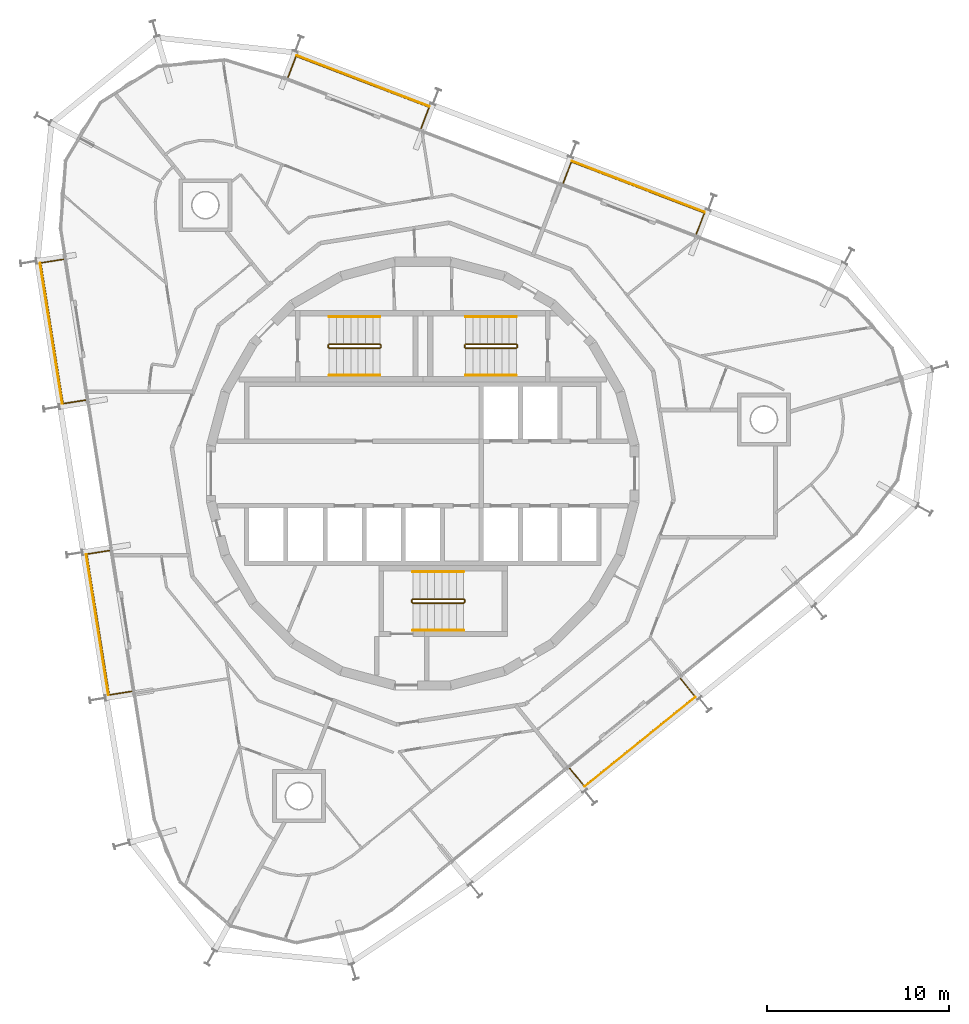
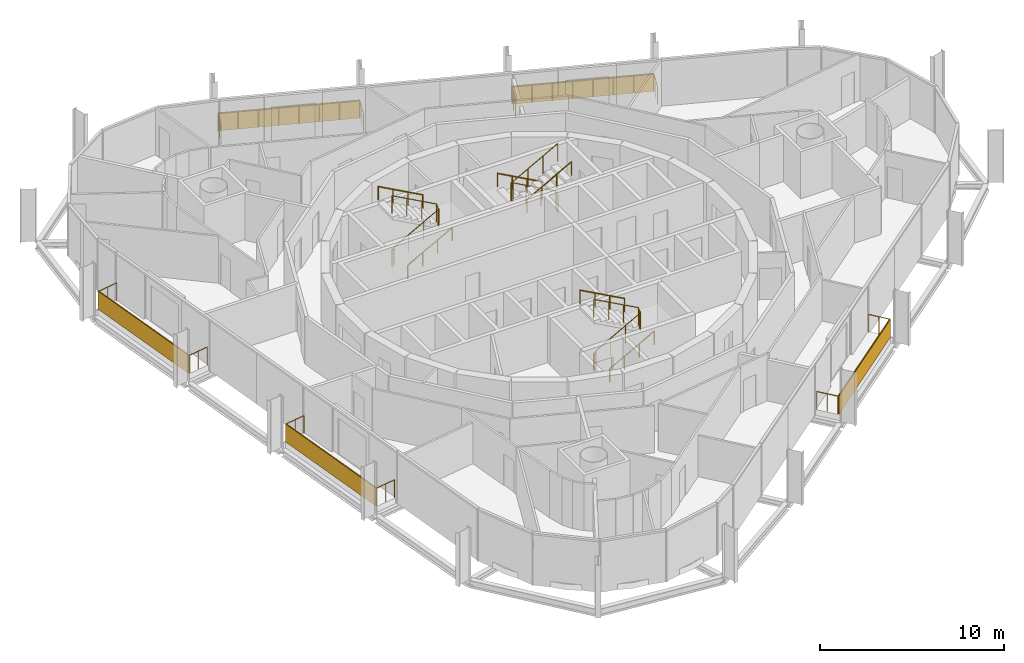
# One storey, part 17 of 17: 14 railings, 5 shading devices.
"""IFC4 building model written with IfcOpenShell, lengths in metres."""

from ifc_helpers import new_model, si_unit, direction, frame, origin, origin_2d, place, context, subcontext, project, spatial, rectangle, circle, extrude, material, layer, layer_set, type_object, element, save


model = new_model("IFC4")

# Units and contexts
model_context = context("Model", 3, precision=1e-05, world=origin(), true_north=direction((0.0, 1.0)))
body_context = subcontext(model_context, "Body", "Model", "MODEL_VIEW")
ifc_project = project(units=[si_unit("LENGTHUNIT", "METRE"), si_unit("AREAUNIT", "SQUARE_METRE"), si_unit("VOLUMEUNIT", "CUBIC_METRE"), si_unit("PLANEANGLEUNIT", "RADIAN"), si_unit("MASSUNIT", "GRAM", prefix="KILO")], contexts=[model_context])

# Site, building, storey
site_placement = place(None, origin())
site = spatial("IfcSite", under=ifc_project, at=site_placement, CompositionType="ELEMENT")
building_placement = place(site_placement, origin())
building = spatial("IfcBuilding", under=site, at=building_placement, Name="Spindle Arch Residences", CompositionType="ELEMENT")
storey_placement = place(building_placement, frame((0.0, 0.0, 266.89990234375)))
storey = spatial("IfcBuildingStorey", under=building, at=storey_placement, Name="L68", CompositionType="ELEMENT", Elevation=266.89990234375)

# Railings
ifc_material_1 = material(Name="Bronze anodised aluminium guard with glass infill", Category="aluminium")
railing_type_1 = type_object("IfcRailingType", Name="Balcony guard 1200", PredefinedType="GUARDRAIL", material=ifc_material_1)
railing_1_placement = place(storey_placement, frame((15.04296875, 13.17041015625, 0.0)))
element("IfcRailing", 1, at=railing_1_placement, inside=storey, type_object=railing_type_1, Name="Guard L68 bay 6", PredefinedType="GUARDRAIL", context=body_context, shape_type="SweptSolid", body=[
    extrude(circle(Radius=0.02392578125, at=origin_2d()), frame((0.0, 0.0, 1.17578125), z_axis=(0.358219824021, 0.933637273077, 0.0), x_axis=(-0.933637273077, 0.358219824021, 0.0)), (0.0, 0.0, 1.0), 1.25),
    extrude(circle(Radius=0.02392578125, at=origin_2d()), frame((0.44775390625, 1.1669921875, 1.17578125), z_axis=(-0.933574226738, 0.358384100054, 0.0), x_axis=(-0.358384100054, -0.933574226738, 0.0)), (0.0, 0.0, 1.0), 7.83740234375),
    extrude(circle(Radius=0.02392578125, at=origin_2d()), frame((-6.869140625, 3.975830078125, 1.17578125), z_axis=(-0.358390063807, -0.933571937327, 0.0), x_axis=(0.933571937327, -0.358390063807, 0.0)), (0.0, 0.0, 1.0), 1.25),
    extrude(circle(Radius=0.02099609375, at=origin_2d()), origin(), (0.0, 0.0, 1.0), 1.15185546875),
    extrude(circle(Radius=0.02099609375, at=origin_2d()), frame((0.223876953125, 0.58349609375, 0.0)), (0.0, 0.0, 1.0), 1.15185546875),
    extrude(circle(Radius=0.02099609375, at=origin_2d()), frame((0.44775390625, 1.1669921875, 0.0)), (0.0, 0.0, 1.0), 1.15185546875),
    extrude(circle(Radius=0.02099609375, at=origin_2d()), frame((-0.597412109375, 1.568359375, 0.0)), (0.0, 0.0, 1.0), 1.15185546875),
    extrude(circle(Radius=0.02099609375, at=origin_2d()), frame((-1.642822265625, 1.969482421875, 0.0)), (0.0, 0.0, 1.0), 1.15185546875),
    extrude(circle(Radius=0.02099609375, at=origin_2d()), frame((-2.68798828125, 2.370849609375, 0.0)), (0.0, 0.0, 1.0), 1.15185546875),
    extrude(circle(Radius=0.02099609375, at=origin_2d()), frame((-3.7333984375, 2.77197265625, 0.0)), (0.0, 0.0, 1.0), 1.15185546875),
    extrude(circle(Radius=0.02099609375, at=origin_2d()), frame((-4.778564453125, 3.17333984375, 0.0)), (0.0, 0.0, 1.0), 1.15185546875),
    extrude(circle(Radius=0.02099609375, at=origin_2d()), frame((-5.823974609375, 3.574462890625, 0.0)), (0.0, 0.0, 1.0), 1.15185546875),
    extrude(circle(Radius=0.02099609375, at=origin_2d()), frame((-6.869140625, 3.975830078125, 0.0)), (0.0, 0.0, 1.0), 1.15185546875),
    extrude(circle(Radius=0.02099609375, at=origin_2d()), frame((-7.09326171875, 3.392333984375, 0.0)), (0.0, 0.0, 1.0), 1.15185546875),
    extrude(circle(Radius=0.02099609375, at=origin_2d()), frame((-7.317138671875, 2.808837890625, 0.0)), (0.0, 0.0, 1.0), 1.15185546875),
])
railing_2_placement = place(storey_placement, frame((-0.09521484375, 18.9814453125, 0.0)))
element("IfcRailing", 2, at=railing_2_placement, inside=storey, type_object=railing_type_1, Name="Guard L68 bay 8", PredefinedType="GUARDRAIL", context=body_context, shape_type="SweptSolid", body=[
    extrude(circle(Radius=0.02392578125, at=origin_2d()), frame((0.0, 0.0, 1.17578125), z_axis=(0.358390063807, 0.933571937327, 0.0), x_axis=(-0.933571937327, 0.358390063807, 0.0)), (0.0, 0.0, 1.0), 1.25),
    extrude(circle(Radius=0.02392578125, at=origin_2d()), frame((0.447998046875, 1.1669921875, 1.17578125), z_axis=(-0.93357822748, 0.358373678128, 0.0), x_axis=(-0.358373678128, -0.93357822748, 0.0)), (0.0, 0.0, 1.0), 7.837646484375),
    extrude(circle(Radius=0.02392578125, at=origin_2d()), frame((-6.869140625, 3.975830078125, 1.17578125), z_axis=(-0.358390063807, -0.933571937327, 0.0), x_axis=(0.933571937327, -0.358390063807, 0.0)), (0.0, 0.0, 1.0), 1.25),
    extrude(circle(Radius=0.02099609375, at=origin_2d()), origin(), (0.0, 0.0, 1.0), 1.15185546875),
    extrude(circle(Radius=0.02099609375, at=origin_2d()), frame((0.22412109375, 0.58349609375, 0.0)), (0.0, 0.0, 1.0), 1.15185546875),
    extrude(circle(Radius=0.02099609375, at=origin_2d()), frame((0.447998046875, 1.1669921875, 0.0)), (0.0, 0.0, 1.0), 1.15185546875),
    extrude(circle(Radius=0.02099609375, at=origin_2d()), frame((-0.597412109375, 1.568359375, 0.0)), (0.0, 0.0, 1.0), 1.15185546875),
    extrude(circle(Radius=0.02099609375, at=origin_2d()), frame((-1.642578125, 1.969482421875, 0.0)), (0.0, 0.0, 1.0), 1.15185546875),
    extrude(circle(Radius=0.02099609375, at=origin_2d()), frame((-2.68798828125, 2.370849609375, 0.0)), (0.0, 0.0, 1.0), 1.15185546875),
    extrude(circle(Radius=0.02099609375, at=origin_2d()), frame((-3.733154296875, 2.77197265625, 0.0)), (0.0, 0.0, 1.0), 1.15185546875),
    extrude(circle(Radius=0.02099609375, at=origin_2d()), frame((-4.778564453125, 3.17333984375, 0.0)), (0.0, 0.0, 1.0), 1.15185546875),
    extrude(circle(Radius=0.02099609375, at=origin_2d()), frame((-5.82373046875, 3.574462890625, 0.0)), (0.0, 0.0, 1.0), 1.15185546875),
    extrude(circle(Radius=0.02099609375, at=origin_2d()), frame((-6.869140625, 3.975830078125, 0.0)), (0.0, 0.0, 1.0), 1.15185546875),
    extrude(circle(Radius=0.02099609375, at=origin_2d()), frame((-7.09326171875, 3.392333984375, 0.0)), (0.0, 0.0, 1.0), 1.15185546875),
    extrude(circle(Radius=0.02099609375, at=origin_2d()), frame((-7.317138671875, 2.808837890625, 0.0)), (0.0, 0.0, 1.0), 1.15185546875),
])
railing_3_placement = place(storey_placement, frame((-19.77294921875, 11.78076171875, 0.0)))
element("IfcRailing", 3, at=railing_3_placement, inside=storey, type_object=railing_type_1, Name="Guard L68 bay 12", PredefinedType="GUARDRAIL", context=body_context, shape_type="SweptSolid", body=[
    extrude(circle(Radius=0.02392578125, at=origin_2d()), frame((0.0, 0.0, 1.17578125), z_axis=(-0.987686835152, -0.156443969736, 0.0), x_axis=(0.156443969736, -0.987686835152, 0.0)), (0.0, 0.0, 1.0), 1.25),
    extrude(circle(Radius=0.02392578125, at=origin_2d()), frame((-1.234619140625, -0.195556640625, 1.17578125), z_axis=(0.156437642141, -0.987687837387, 0.0), x_axis=(0.987687837387, 0.156437642141, 0.0)), (0.0, 0.0, 1.0), 7.83740234375),
    extrude(circle(Radius=0.02392578125, at=origin_2d()), frame((-0.008544921875, -7.9365234375, 1.17578125), z_axis=(0.987686835152, 0.156443969736, 0.0), x_axis=(-0.156443969736, 0.987686835152, 0.0)), (0.0, 0.0, 1.0), 1.25),
    extrude(circle(Radius=0.02099609375, at=origin_2d()), origin(), (0.0, 0.0, 1.0), 1.15185546875),
    extrude(circle(Radius=0.02099609375, at=origin_2d()), frame((-0.6171875, -0.09765625, 0.0)), (0.0, 0.0, 1.0), 1.15185546875),
    extrude(circle(Radius=0.02099609375, at=origin_2d()), frame((-1.234619140625, -0.195556640625, 0.0)), (0.0, 0.0, 1.0), 1.15185546875),
    extrude(circle(Radius=0.02099609375, at=origin_2d()), frame((-1.0595703125, -1.301513671875, 0.0)), (0.0, 0.0, 1.0), 1.15185546875),
    extrude(circle(Radius=0.02099609375, at=origin_2d()), frame((-0.88427734375, -2.4072265625, 0.0)), (0.0, 0.0, 1.0), 1.15185546875),
    extrude(circle(Radius=0.02099609375, at=origin_2d()), frame((-0.709228515625, -3.51318359375, 0.0)), (0.0, 0.0, 1.0), 1.15185546875),
    extrude(circle(Radius=0.02099609375, at=origin_2d()), frame((-0.533935546875, -4.618896484375, 0.0)), (0.0, 0.0, 1.0), 1.15185546875),
    extrude(circle(Radius=0.02099609375, at=origin_2d()), frame((-0.35888671875, -5.724853515625, 0.0)), (0.0, 0.0, 1.0), 1.15185546875),
    extrude(circle(Radius=0.02099609375, at=origin_2d()), frame((-0.18359375, -6.83056640625, 0.0)), (0.0, 0.0, 1.0), 1.15185546875),
    extrude(circle(Radius=0.02099609375, at=origin_2d()), frame((-0.008544921875, -7.9365234375, 0.0)), (0.0, 0.0, 1.0), 1.15185546875),
    extrude(circle(Radius=0.02099609375, at=origin_2d()), frame((0.60888671875, -7.8388671875, 0.0)), (0.0, 0.0, 1.0), 1.15185546875),
    extrude(circle(Radius=0.02099609375, at=origin_2d()), frame((1.22607421875, -7.740966796875, 0.0)), (0.0, 0.0, 1.0), 1.15185546875),
])
railing_4_placement = place(storey_placement, frame((-17.236328125, -4.23486328125, 0.0)))
element("IfcRailing", 4, at=railing_4_placement, inside=storey, type_object=railing_type_1, Name="Guard L68 bay 14", PredefinedType="GUARDRAIL", context=body_context, shape_type="SweptSolid", body=[
    extrude(circle(Radius=0.02392578125, at=origin_2d()), frame((0.0, 0.0, 1.17578125), z_axis=(-0.987686835152, -0.156443969736, 0.0), x_axis=(0.156443969736, -0.987686835152, 0.0)), (0.0, 0.0, 1.0), 1.25),
    extrude(circle(Radius=0.02392578125, at=origin_2d()), frame((-1.234619140625, -0.195556640625, 1.17578125), z_axis=(0.156437642141, -0.987687837387, 0.0), x_axis=(0.987687837387, 0.156437642141, 0.0)), (0.0, 0.0, 1.0), 7.83740234375),
    extrude(circle(Radius=0.02392578125, at=origin_2d()), frame((-0.008544921875, -7.9365234375, 1.17578125), z_axis=(0.987686835152, 0.156443969736, 0.0), x_axis=(-0.156443969736, 0.987686835152, 0.0)), (0.0, 0.0, 1.0), 1.25),
    extrude(circle(Radius=0.02099609375, at=origin_2d()), origin(), (0.0, 0.0, 1.0), 1.15185546875),
    extrude(circle(Radius=0.02099609375, at=origin_2d()), frame((-0.6171875, -0.09765625, 0.0)), (0.0, 0.0, 1.0), 1.15185546875),
    extrude(circle(Radius=0.02099609375, at=origin_2d()), frame((-1.234619140625, -0.195556640625, 0.0)), (0.0, 0.0, 1.0), 1.15185546875),
    extrude(circle(Radius=0.02099609375, at=origin_2d()), frame((-1.0595703125, -1.301513671875, 0.0)), (0.0, 0.0, 1.0), 1.15185546875),
    extrude(circle(Radius=0.02099609375, at=origin_2d()), frame((-0.88427734375, -2.4072265625, 0.0)), (0.0, 0.0, 1.0), 1.15185546875),
    extrude(circle(Radius=0.02099609375, at=origin_2d()), frame((-0.709228515625, -3.51318359375, 0.0)), (0.0, 0.0, 1.0), 1.15185546875),
    extrude(circle(Radius=0.02099609375, at=origin_2d()), frame((-0.533935546875, -4.618896484375, 0.0)), (0.0, 0.0, 1.0), 1.15185546875),
    extrude(circle(Radius=0.02099609375, at=origin_2d()), frame((-0.35888671875, -5.724853515625, 0.0)), (0.0, 0.0, 1.0), 1.15185546875),
    extrude(circle(Radius=0.02099609375, at=origin_2d()), frame((-0.18359375, -6.83056640625, 0.0)), (0.0, 0.0, 1.0), 1.15185546875),
    extrude(circle(Radius=0.02099609375, at=origin_2d()), frame((-0.008544921875, -7.9365234375, 0.0)), (0.0, 0.0, 1.0), 1.15185546875),
    extrude(circle(Radius=0.02099609375, at=origin_2d()), frame((0.60888671875, -7.8388671875, 0.0)), (0.0, 0.0, 1.0), 1.15185546875),
    extrude(circle(Radius=0.02099609375, at=origin_2d()), frame((1.22607421875, -7.740966796875, 0.0)), (0.0, 0.0, 1.0), 1.15185546875),
])
railing_5_placement = place(storey_placement, frame((8.0849609375, -16.211181640625, 0.0)))
element("IfcRailing", 5, at=railing_5_placement, inside=storey, type_object=railing_type_1, Name="Guard L68 bay 20", PredefinedType="GUARDRAIL", context=body_context, shape_type="SweptSolid", body=[
    extrude(circle(Radius=0.02392578125, at=origin_2d()), frame((0.0, 0.0, 1.17578125), z_axis=(0.629422920791, -0.77706292331, 0.0), x_axis=(0.77706292331, 0.629422920791, 0.0)), (0.0, 0.0, 1.0), 1.250244140625),
    extrude(circle(Radius=0.02392578125, at=origin_2d()), frame((0.786865234375, -0.971435546875, 1.17578125), z_axis=(0.777138223033, 0.629329947087, 0.0), x_axis=(-0.629329947087, 0.777138223033, 0.0)), (0.0, 0.0, 1.0), 7.83740234375),
    extrude(circle(Radius=0.02392578125, at=origin_2d()), frame((6.877685546875, 3.9609375, 1.17578125), z_axis=(-0.629304977104, 0.777158443171, 0.0), x_axis=(-0.777158443171, -0.629304977104, 0.0)), (0.0, 0.0, 1.0), 1.25),
    extrude(circle(Radius=0.02099609375, at=origin_2d()), origin(), (0.0, 0.0, 1.0), 1.15185546875),
    extrude(circle(Radius=0.02099609375, at=origin_2d()), frame((0.3935546875, -0.48583984375, 0.0)), (0.0, 0.0, 1.0), 1.15185546875),
    extrude(circle(Radius=0.02099609375, at=origin_2d()), frame((0.786865234375, -0.971435546875, 0.0)), (0.0, 0.0, 1.0), 1.15185546875),
    extrude(circle(Radius=0.02099609375, at=origin_2d()), frame((1.656982421875, -0.266845703125, 0.0)), (0.0, 0.0, 1.0), 1.15185546875),
    extrude(circle(Radius=0.02099609375, at=origin_2d()), frame((2.527099609375, 0.437744140625, 0.0)), (0.0, 0.0, 1.0), 1.15185546875),
    extrude(circle(Radius=0.02099609375, at=origin_2d()), frame((3.397216796875, 1.142333984375, 0.0)), (0.0, 0.0, 1.0), 1.15185546875),
    extrude(circle(Radius=0.02099609375, at=origin_2d()), frame((4.267333984375, 1.84716796875, 0.0)), (0.0, 0.0, 1.0), 1.15185546875),
    extrude(circle(Radius=0.02099609375, at=origin_2d()), frame((5.137451171875, 2.5517578125, 0.0)), (0.0, 0.0, 1.0), 1.15185546875),
    extrude(circle(Radius=0.02099609375, at=origin_2d()), frame((6.007568359375, 3.25634765625, 0.0)), (0.0, 0.0, 1.0), 1.15185546875),
    extrude(circle(Radius=0.02099609375, at=origin_2d()), frame((6.877685546875, 3.9609375, 0.0)), (0.0, 0.0, 1.0), 1.15185546875),
    extrude(circle(Radius=0.02099609375, at=origin_2d()), frame((6.484375, 4.44677734375, 0.0)), (0.0, 0.0, 1.0), 1.15185546875),
    extrude(circle(Radius=0.02099609375, at=origin_2d()), frame((6.091064453125, 4.932373046875, 0.0)), (0.0, 0.0, 1.0), 1.15185546875),
])

# Shading devices
ifc_material_2 = material(Name="Bronze perforated cobogo screen")
ifc_layer = layer(ifc_material_2, 0.0390625)
ifc_layer_set = layer_set([ifc_layer], Name="Cobogo screen 1200")
shading_device_type = type_object("IfcShadingDeviceType", Name="Cobogo screen 1200", PredefinedType="USERDEFINED", material=ifc_layer_set)
for number, where, z_axis, x_axis, name in (
    (6, (11.846923828125, 15.779541015625, 0.0), (0.0, 0.0, 1.0), (-0.933580426497, 0.358367949545, 0.0), "Cobogo screen L68 bay 6"),
    (7, (-3.291259765625, 21.590576171875, 0.0), (0.0, 0.0, 1.0), (-0.933580426497, 0.358367949545, 0.0), "Cobogo screen L68 bay 8"),
    (8, (-20.4345703125, 7.708251953125, 0.0), (0.0, 0.0, 1.0), (0.15643446504, -0.987688340595, 0.0), "Cobogo screen L68 bay 12"),
    (9, (-17.89794921875, -8.30712890625, 0.0), (0.0, 0.0, 1.0), (0.15643446504, -0.987688340595, 0.0), "Cobogo screen L68 bay 14"),
    (10, (11.942626953125, -14.748046875, 0.0), (0.0, 0.0, 1.0), (0.777145961457, 0.62932039105, 0.0), "Cobogo screen L68 bay 20"),
):
    element("IfcShadingDevice", number, at=place(storey_placement, frame(where, z_axis=z_axis, x_axis=x_axis)), inside=storey, type_object=shading_device_type, Name=name, ObjectType="SCREEN", PredefinedType="USERDEFINED", context=body_context, shape_type="SweptSolid", body=[
        extrude(rectangle(XDim=7.837646484375, YDim=0.0390625, at=origin_2d()), origin(), (0.0, 0.0, 1.0), 1.199951171875),
    ])

# Railings
ifc_material_3 = material(Name="Steel, painted", Category="steel")
railing_type_2 = type_object("IfcRailingType", Name="Stair guard 1100", PredefinedType="GUARDRAIL", material=ifc_material_3)
railing_6_placement = place(storey_placement, frame((5.14990234375, 6.89990234375, 3.5)))
element("IfcRailing", 11, at=railing_6_placement, inside=storey, type_object=railing_type_2, Name="L68 ST1 stair guard 1", PredefinedType="GUARDRAIL", context=body_context, shape_type="SweptSolid", body=[
    extrude(circle(Radius=0.02392578125, at=origin_2d()), frame((0.0, 0.0, 1.17578125), z_axis=(-0.877357048833, 0.0, -0.479838106931), x_axis=(0.0, -1.0, 0.0)), (0.0, 0.0, 1.0), 3.191162109375),
    extrude(circle(Radius=0.02392578125, at=origin_2d()), frame((-2.7998046875, 0.0, -0.35546875), z_axis=(-0.217683172539, 0.217683172539, -0.951434744366), x_axis=(-0.707106781187, -0.707106781187, 0.0)), (0.0, 0.0, 1.0), 0.22998046875),
    extrude(circle(Radius=0.02392578125, at=origin_2d()), frame((-2.849853515625, 0.050048828125, -0.57421875), z_axis=(0.0, 1.0, 0.0), x_axis=(-1.0, 0.0, 0.0)), (0.0, 0.0, 1.0), 0.1201171875),
    extrude(circle(Radius=0.02392578125, at=origin_2d()), frame((-2.849853515625, 0.170166015625, -0.57421875), z_axis=(0.707106781187, 0.707106781187, 0.0), x_axis=(-0.707106781187, 0.707106781187, 0.0)), (0.0, 0.0, 1.0), 0.07080078125),
    extrude(circle(Radius=0.02392578125, at=origin_2d()), frame((-2.7998046875, 0.22021484375, -0.57421875), z_axis=(0.877357048833, 0.0, -0.479838106931), x_axis=(0.0, 1.0, 0.0)), (0.0, 0.0, 1.0), 3.191162109375),
    extrude(circle(Radius=0.02392578125, at=origin_2d()), frame((0.0, 0.22021484375, -2.10546875), z_axis=(0.217683172539, -0.217683172539, -0.951434744366), x_axis=(0.707106781187, 0.707106781187, 0.0)), (0.0, 0.0, 1.0), 0.22998046875),
    extrude(circle(Radius=0.02392578125, at=origin_2d()), frame((0.050048828125, 0.170166015625, -2.32421875), z_axis=(0.0, -1.0, 0.0), x_axis=(1.0, 0.0, 0.0)), (0.0, 0.0, 1.0), 0.1201171875),
    extrude(circle(Radius=0.02099609375, at=origin_2d()), origin(), (0.0, 0.0, 1.0), 1.15185546875),
    extrude(circle(Radius=0.02099609375, at=origin_2d()), frame((-0.933349609375, 0.0, -0.510498046875)), (0.0, 0.0, 1.0), 1.15185546875),
    extrude(circle(Radius=0.02099609375, at=origin_2d()), frame((-1.866455078125, 0.0, -1.020751953125)), (0.0, 0.0, 1.0), 1.15185546875),
    extrude(circle(Radius=0.02099609375, at=origin_2d()), frame((-2.7998046875, 0.0, -1.53125)), (0.0, 0.0, 1.0), 1.15185546875),
    extrude(circle(Radius=0.02099609375, at=origin_2d()), frame((-2.849853515625, 0.050048828125, -1.75)), (0.0, 0.0, 1.0), 1.15185546875),
    extrude(circle(Radius=0.02099609375, at=origin_2d()), frame((-2.849853515625, 0.170166015625, -1.75)), (0.0, 0.0, 1.0), 1.15185546875),
    extrude(circle(Radius=0.02099609375, at=origin_2d()), frame((-2.7998046875, 0.22021484375, -1.75)), (0.0, 0.0, 1.0), 1.15185546875),
    extrude(circle(Radius=0.02099609375, at=origin_2d()), frame((-1.866455078125, 0.22021484375, -2.260498046875)), (0.0, 0.0, 1.0), 1.15185546875),
    extrude(circle(Radius=0.02099609375, at=origin_2d()), frame((-0.933349609375, 0.22021484375, -2.770751953125)), (0.0, 0.0, 1.0), 1.15185546875),
    extrude(circle(Radius=0.02099609375, at=origin_2d()), frame((0.0, 0.22021484375, -3.28125)), (0.0, 0.0, 1.0), 1.15185546875),
    extrude(circle(Radius=0.02099609375, at=origin_2d()), frame((0.050048828125, 0.170166015625, -3.5)), (0.0, 0.0, 1.0), 1.15185546875),
    extrude(circle(Radius=0.02099609375, at=origin_2d()), frame((0.050048828125, 0.050048828125, -3.5)), (0.0, 0.0, 1.0), 1.15185546875),
])
railing_7_placement = place(storey_placement, frame((-5.14990234375, 7.1201171875, 3.5)))
element("IfcRailing", 12, at=railing_7_placement, inside=storey, type_object=railing_type_2, Name="L68 ST2 stair guard 1", PredefinedType="GUARDRAIL", context=body_context, shape_type="SweptSolid", body=[
    extrude(circle(Radius=0.02392578125, at=origin_2d()), frame((0.0, 0.0, 1.17578125), z_axis=(0.877357048833, 0.0, -0.479838106931), x_axis=(0.0, 1.0, 0.0)), (0.0, 0.0, 1.0), 3.191162109375),
    extrude(circle(Radius=0.02392578125, at=origin_2d()), frame((2.7998046875, 0.0, -0.35546875), z_axis=(0.217683172539, -0.217683172539, -0.951434744366), x_axis=(0.707106781187, 0.707106781187, 0.0)), (0.0, 0.0, 1.0), 0.22998046875),
    extrude(circle(Radius=0.02392578125, at=origin_2d()), frame((2.849853515625, -0.050048828125, -0.57421875), z_axis=(0.0, -1.0, 0.0), x_axis=(1.0, 0.0, 0.0)), (0.0, 0.0, 1.0), 0.1201171875),
    extrude(circle(Radius=0.02392578125, at=origin_2d()), frame((2.849853515625, -0.170166015625, -0.57421875), z_axis=(-0.707106781187, -0.707106781187, 0.0), x_axis=(0.707106781187, -0.707106781187, 0.0)), (0.0, 0.0, 1.0), 0.07080078125),
    extrude(circle(Radius=0.02392578125, at=origin_2d()), frame((2.7998046875, -0.22021484375, -0.57421875), z_axis=(-0.877357048833, 0.0, -0.479838106931), x_axis=(0.0, -1.0, 0.0)), (0.0, 0.0, 1.0), 3.191162109375),
    extrude(circle(Radius=0.02392578125, at=origin_2d()), frame((0.0, -0.22021484375, -2.10546875), z_axis=(-0.217683172539, 0.217683172539, -0.951434744366), x_axis=(-0.707106781187, -0.707106781187, 0.0)), (0.0, 0.0, 1.0), 0.22998046875),
    extrude(circle(Radius=0.02392578125, at=origin_2d()), frame((-0.050048828125, -0.170166015625, -2.32421875), z_axis=(0.0, 1.0, 0.0), x_axis=(-1.0, 0.0, 0.0)), (0.0, 0.0, 1.0), 0.1201171875),
    extrude(circle(Radius=0.02099609375, at=origin_2d()), origin(), (0.0, 0.0, 1.0), 1.15185546875),
    extrude(circle(Radius=0.02099609375, at=origin_2d()), frame((0.933349609375, 0.0, -0.510498046875)), (0.0, 0.0, 1.0), 1.15185546875),
    extrude(circle(Radius=0.02099609375, at=origin_2d()), frame((1.866455078125, 0.0, -1.020751953125)), (0.0, 0.0, 1.0), 1.15185546875),
    extrude(circle(Radius=0.02099609375, at=origin_2d()), frame((2.7998046875, 0.0, -1.53125)), (0.0, 0.0, 1.0), 1.15185546875),
    extrude(circle(Radius=0.02099609375, at=origin_2d()), frame((2.849853515625, -0.050048828125, -1.75)), (0.0, 0.0, 1.0), 1.15185546875),
    extrude(circle(Radius=0.02099609375, at=origin_2d()), frame((2.849853515625, -0.170166015625, -1.75)), (0.0, 0.0, 1.0), 1.15185546875),
    extrude(circle(Radius=0.02099609375, at=origin_2d()), frame((2.7998046875, -0.22021484375, -1.75)), (0.0, 0.0, 1.0), 1.15185546875),
    extrude(circle(Radius=0.02099609375, at=origin_2d()), frame((1.866455078125, -0.22021484375, -2.260498046875)), (0.0, 0.0, 1.0), 1.15185546875),
    extrude(circle(Radius=0.02099609375, at=origin_2d()), frame((0.933349609375, -0.22021484375, -2.770751953125)), (0.0, 0.0, 1.0), 1.15185546875),
    extrude(circle(Radius=0.02099609375, at=origin_2d()), frame((0.0, -0.22021484375, -3.28125)), (0.0, 0.0, 1.0), 1.15185546875),
    extrude(circle(Radius=0.02099609375, at=origin_2d()), frame((-0.050048828125, -0.170166015625, -3.5)), (0.0, 0.0, 1.0), 1.15185546875),
    extrude(circle(Radius=0.02099609375, at=origin_2d()), frame((-0.050048828125, -0.050048828125, -3.5)), (0.0, 0.0, 1.0), 1.15185546875),
])
railing_8_placement = place(storey_placement, frame((-0.550048828125, -6.89990234375, 3.5)))
element("IfcRailing", 13, at=railing_8_placement, inside=storey, type_object=railing_type_2, Name="L68 ST3 stair guard 1", PredefinedType="GUARDRAIL", context=body_context, shape_type="SweptSolid", body=[
    extrude(circle(Radius=0.02392578125, at=origin_2d()), frame((0.0, 0.0, 1.17578125), z_axis=(0.877374661878, 0.0, -0.479805901063), x_axis=(0.0, 1.0, 0.0)), (0.0, 0.0, 1.0), 3.19140625),
    extrude(circle(Radius=0.02392578125, at=origin_2d()), frame((2.800048828125, 0.0, -0.35546875), z_axis=(0.217683172539, -0.217683172539, -0.951434744366), x_axis=(0.707106781187, 0.707106781187, 0.0)), (0.0, 0.0, 1.0), 0.22998046875),
    extrude(circle(Radius=0.02392578125, at=origin_2d()), frame((2.85009765625, -0.050048828125, -0.57421875), z_axis=(0.0, -1.0, 0.0), x_axis=(1.0, 0.0, 0.0)), (0.0, 0.0, 1.0), 0.1201171875),
    extrude(circle(Radius=0.02392578125, at=origin_2d()), frame((2.85009765625, -0.170166015625, -0.57421875), z_axis=(-0.707106781187, -0.707106781187, 0.0), x_axis=(0.707106781187, -0.707106781187, 0.0)), (0.0, 0.0, 1.0), 0.07080078125),
    extrude(circle(Radius=0.02392578125, at=origin_2d()), frame((2.800048828125, -0.22021484375, -0.57421875), z_axis=(-0.877374661878, 0.0, -0.479805901063), x_axis=(0.0, -1.0, 0.0)), (0.0, 0.0, 1.0), 3.19140625),
    extrude(circle(Radius=0.02392578125, at=origin_2d()), frame((0.0, -0.22021484375, -2.10546875), z_axis=(-0.217683172539, 0.217683172539, -0.951434744366), x_axis=(-0.707106781187, -0.707106781187, 0.0)), (0.0, 0.0, 1.0), 0.22998046875),
    extrude(circle(Radius=0.02392578125, at=origin_2d()), frame((-0.050048828125, -0.170166015625, -2.32421875), z_axis=(0.0, 1.0, 0.0), x_axis=(-1.0, 0.0, 0.0)), (0.0, 0.0, 1.0), 0.1201171875),
    extrude(circle(Radius=0.02099609375, at=origin_2d()), origin(), (0.0, 0.0, 1.0), 1.15185546875),
    extrude(circle(Radius=0.02099609375, at=origin_2d()), frame((0.933349609375, 0.0, -0.510498046875)), (0.0, 0.0, 1.0), 1.15185546875),
    extrude(circle(Radius=0.02099609375, at=origin_2d()), frame((1.86669921875, 0.0, -1.020751953125)), (0.0, 0.0, 1.0), 1.15185546875),
    extrude(circle(Radius=0.02099609375, at=origin_2d()), frame((2.800048828125, 0.0, -1.53125)), (0.0, 0.0, 1.0), 1.15185546875),
    extrude(circle(Radius=0.02099609375, at=origin_2d()), frame((2.85009765625, -0.050048828125, -1.75)), (0.0, 0.0, 1.0), 1.15185546875),
    extrude(circle(Radius=0.02099609375, at=origin_2d()), frame((2.85009765625, -0.170166015625, -1.75)), (0.0, 0.0, 1.0), 1.15185546875),
    extrude(circle(Radius=0.02099609375, at=origin_2d()), frame((2.800048828125, -0.22021484375, -1.75)), (0.0, 0.0, 1.0), 1.15185546875),
    extrude(circle(Radius=0.02099609375, at=origin_2d()), frame((1.86669921875, -0.22021484375, -2.260498046875)), (0.0, 0.0, 1.0), 1.15185546875),
    extrude(circle(Radius=0.02099609375, at=origin_2d()), frame((0.933349609375, -0.22021484375, -2.770751953125)), (0.0, 0.0, 1.0), 1.15185546875),
    extrude(circle(Radius=0.02099609375, at=origin_2d()), frame((0.0, -0.22021484375, -3.28125)), (0.0, 0.0, 1.0), 1.15185546875),
    extrude(circle(Radius=0.02099609375, at=origin_2d()), frame((-0.050048828125, -0.170166015625, -3.5)), (0.0, 0.0, 1.0), 1.15185546875),
    extrude(circle(Radius=0.02099609375, at=origin_2d()), frame((-0.050048828125, -0.050048828125, -3.5)), (0.0, 0.0, 1.0), 1.15185546875),
])
ifc_material_4 = material(Name="Steel, painted", Category="steel")
railing_type_3 = type_object("IfcRailingType", Name="Stair handrail 900", PredefinedType="HANDRAIL", material=ifc_material_4)
railing_9_placement = place(storey_placement, frame((5.14990234375, 8.6201171875, 0.21875)))
element("IfcRailing", 14, at=railing_9_placement, inside=storey, type_object=railing_type_3, Name="L68 ST1 stair handrail 1", PredefinedType="HANDRAIL", context=body_context, shape_type="SweptSolid", body=[
    extrude(circle(Radius=0.02392578125, at=origin_2d()), frame((0.0, 0.0, 0.8759765625), z_axis=(-0.877357048833, 0.0, 0.479838106931), x_axis=(0.0, -1.0, 0.0)), (0.0, 0.0, 1.0), 3.191162109375),
    extrude(circle(Radius=0.02099609375, at=origin_2d()), origin(), (0.0, 0.0, 1.0), 0.851806640625),
    extrude(circle(Radius=0.02099609375, at=origin_2d()), frame((-0.933349609375, 0.0, 0.510498046875)), (0.0, 0.0, 1.0), 0.851806640625),
    extrude(circle(Radius=0.02099609375, at=origin_2d()), frame((-1.866455078125, 0.0, 1.020751953125)), (0.0, 0.0, 1.0), 0.851806640625),
    extrude(circle(Radius=0.02099609375, at=origin_2d()), frame((-2.7998046875, 0.0, 1.53125)), (0.0, 0.0, 1.0), 0.851806640625),
])
for number, where, name in (
    (15, (2.35009765625, 5.39990234375, 1.96875), "L68 ST1 stair handrail 2"),
    (16, (-5.14990234375, 5.39990234375, 0.21875), "L68 ST2 stair handrail 1"),
):
    element("IfcRailing", number, at=place(storey_placement, frame(where)), inside=storey, type_object=railing_type_3, Name=name, PredefinedType="HANDRAIL", context=body_context, shape_type="SweptSolid", body=[
        extrude(circle(Radius=0.02392578125, at=origin_2d()), frame((0.0, 0.0, 0.8759765625), z_axis=(0.877357048833, 0.0, 0.479838106931), x_axis=(0.0, 1.0, 0.0)), (0.0, 0.0, 1.0), 3.191162109375),
        extrude(circle(Radius=0.02099609375, at=origin_2d()), origin(), (0.0, 0.0, 1.0), 0.851806640625),
        extrude(circle(Radius=0.02099609375, at=origin_2d()), frame((0.933349609375, 0.0, 0.510498046875)), (0.0, 0.0, 1.0), 0.851806640625),
        extrude(circle(Radius=0.02099609375, at=origin_2d()), frame((1.866455078125, 0.0, 1.020751953125)), (0.0, 0.0, 1.0), 0.851806640625),
        extrude(circle(Radius=0.02099609375, at=origin_2d()), frame((2.7998046875, 0.0, 1.53125)), (0.0, 0.0, 1.0), 0.851806640625),
    ])
railing_10_placement = place(storey_placement, frame((-2.35009765625, 8.6201171875, 1.96875)))
element("IfcRailing", 17, at=railing_10_placement, inside=storey, type_object=railing_type_3, Name="L68 ST2 stair handrail 2", PredefinedType="HANDRAIL", context=body_context, shape_type="SweptSolid", body=[
    extrude(circle(Radius=0.02392578125, at=origin_2d()), frame((0.0, 0.0, 0.8759765625), z_axis=(-0.877357048833, 0.0, 0.479838106931), x_axis=(0.0, -1.0, 0.0)), (0.0, 0.0, 1.0), 3.191162109375),
    extrude(circle(Radius=0.02099609375, at=origin_2d()), origin(), (0.0, 0.0, 1.0), 0.851806640625),
    extrude(circle(Radius=0.02099609375, at=origin_2d()), frame((-0.933349609375, 0.0, 0.510498046875)), (0.0, 0.0, 1.0), 0.851806640625),
    extrude(circle(Radius=0.02099609375, at=origin_2d()), frame((-1.866455078125, 0.0, 1.020751953125)), (0.0, 0.0, 1.0), 0.851806640625),
    extrude(circle(Radius=0.02099609375, at=origin_2d()), frame((-2.7998046875, 0.0, 1.53125)), (0.0, 0.0, 1.0), 0.851806640625),
])
railing_11_placement = place(storey_placement, frame((-0.550048828125, -8.6201171875, 0.21875)))
element("IfcRailing", 18, at=railing_11_placement, inside=storey, type_object=railing_type_3, Name="L68 ST3 stair handrail 1", PredefinedType="HANDRAIL", context=body_context, shape_type="SweptSolid", body=[
    extrude(circle(Radius=0.02392578125, at=origin_2d()), frame((0.0, 0.0, 0.8759765625), z_axis=(0.877374661878, 0.0, 0.479805901063), x_axis=(0.0, 1.0, 0.0)), (0.0, 0.0, 1.0), 3.19140625),
    extrude(circle(Radius=0.02099609375, at=origin_2d()), origin(), (0.0, 0.0, 1.0), 0.851806640625),
    extrude(circle(Radius=0.02099609375, at=origin_2d()), frame((0.933349609375, 0.0, 0.510498046875)), (0.0, 0.0, 1.0), 0.851806640625),
    extrude(circle(Radius=0.02099609375, at=origin_2d()), frame((1.86669921875, 0.0, 1.020751953125)), (0.0, 0.0, 1.0), 0.851806640625),
    extrude(circle(Radius=0.02099609375, at=origin_2d()), frame((2.800048828125, 0.0, 1.53125)), (0.0, 0.0, 1.0), 0.851806640625),
])
railing_12_placement = place(storey_placement, frame((2.25, -5.39990234375, 1.96875)))
element("IfcRailing", 19, at=railing_12_placement, inside=storey, type_object=railing_type_3, Name="L68 ST3 stair handrail 2", PredefinedType="HANDRAIL", context=body_context, shape_type="SweptSolid", body=[
    extrude(circle(Radius=0.02392578125, at=origin_2d()), frame((0.0, 0.0, 0.8759765625), z_axis=(-0.877374661878, 0.0, 0.479805901063), x_axis=(0.0, -1.0, 0.0)), (0.0, 0.0, 1.0), 3.19140625),
    extrude(circle(Radius=0.02099609375, at=origin_2d()), origin(), (0.0, 0.0, 1.0), 0.851806640625),
    extrude(circle(Radius=0.02099609375, at=origin_2d()), frame((-0.933349609375, 0.0, 0.510498046875)), (0.0, 0.0, 1.0), 0.851806640625),
    extrude(circle(Radius=0.02099609375, at=origin_2d()), frame((-1.86669921875, 0.0, 1.020751953125)), (0.0, 0.0, 1.0), 0.851806640625),
    extrude(circle(Radius=0.02099609375, at=origin_2d()), frame((-2.800048828125, 0.0, 1.53125)), (0.0, 0.0, 1.0), 0.851806640625),
])

save(model, "model.ifc")
